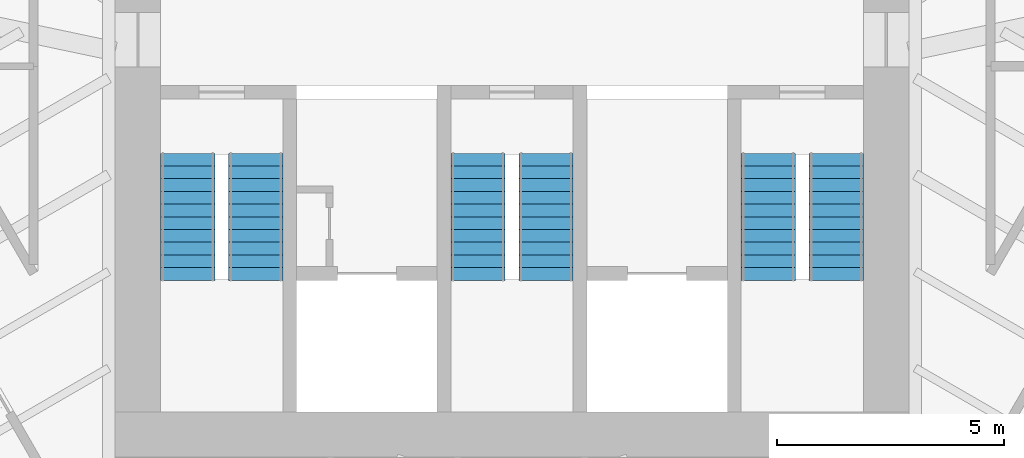
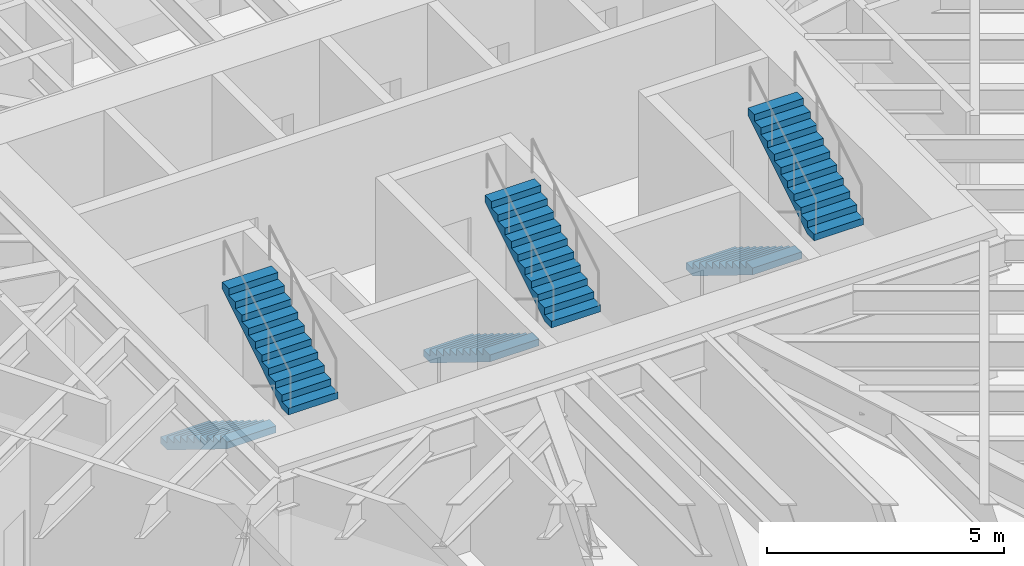
# One storey, part 16 of 17: 6 stair flights, 3 elements without a shape of their own.
"""IFC4 building model written with IfcOpenShell, lengths in metres."""

from ifc_helpers import new_model, si_unit, direction, frame, origin, place, context, subcontext, project, spatial, polyline, outline, extrude, material, type_object, element, aggregate, save


model = new_model("IFC4")

# Units and contexts
model_context = context("Model", 3, precision=1e-05, world=origin(), true_north=direction((0.0, 1.0)))
body_context = subcontext(model_context, "Body", "Model", "MODEL_VIEW")
ifc_project = project(units=[si_unit("LENGTHUNIT", "METRE"), si_unit("AREAUNIT", "SQUARE_METRE"), si_unit("VOLUMEUNIT", "CUBIC_METRE"), si_unit("PLANEANGLEUNIT", "RADIAN"), si_unit("MASSUNIT", "GRAM", prefix="KILO")], contexts=[model_context])

# Site, building, storey
site_placement = place(None, origin())
site = spatial("IfcSite", under=ifc_project, at=site_placement, CompositionType="ELEMENT")
building_placement = place(site_placement, origin())
building = spatial("IfcBuilding", under=site, at=building_placement, Name="Sandreach Pilgrim Tower", CompositionType="ELEMENT")
storey_placement = place(building_placement, frame((0.0, 0.0, 198.39990234375)))
storey = spatial("IfcBuildingStorey", under=building, at=storey_placement, Name="L49", CompositionType="ELEMENT", Elevation=198.39990234375)

# Stair, stair flights
ifc_material_1 = material(Name="Concrete 8000 psi", Category="concrete")
stair_type = type_object("IfcStairType", Name="Core exit stair", PredefinedType="HALF_TURN_STAIR", material=ifc_material_1)
stair_1_placement = place(storey_placement, origin())
stair_1 = element("IfcStair", 1, at=stair_1_placement, inside=storey, type_object=stair_type, Name="Exit stair ST1 L49", PredefinedType="HALF_TURN_STAIR")
ifc_material_2 = material(Name="Concrete 8000 psi", Category="concrete")
stair_flight_type = type_object("IfcStairFlightType", Name="Core stair flight 1200", PredefinedType="STRAIGHT", material=ifc_material_2)
stair_flight_1_placement = place(storey_placement, frame((-7.14990234375, -0.39990234375, 0.0), z_axis=(0.0, 0.0, 1.0), x_axis=(0.0, -1.0, 0.0)))
stair_flight_1 = element("IfcStairFlight", 2, at=stair_flight_1_placement, type_object=stair_flight_type, Name="ST1 flight 1", NumberOfRisers=11, NumberOfTreads=10, PredefinedType="STRAIGHT", RiserHeight=0.172727273, TreadLength=0.28, context=body_context, shape_type="SweptSolid", body=[
    extrude(outline(polyline([(0.0, 0.0), (0.0, 0.172607421875), (0.280029296875, 0.172607421875), (0.280029296875, 0.345458984375), (0.56005859375, 0.345458984375), (0.56005859375, 0.51806640625), (0.840087890625, 0.51806640625), (0.840087890625, 0.69091796875), (1.1201171875, 0.69091796875), (1.1201171875, 0.863525390625), (1.39990234375, 0.863525390625), (1.39990234375, 1.036376953125), (1.679931640625, 1.036376953125), (1.679931640625, 1.208984375), (1.9599609375, 1.208984375), (1.9599609375, 1.3818359375), (2.239990234375, 1.3818359375), (2.239990234375, 1.554443359375), (2.52001953125, 1.554443359375), (2.52001953125, 1.727294921875), (2.800048828125, 1.727294921875), (2.800048828125, 1.89990234375), (2.800048828125, 1.551025390625), (0.285400390625, 0.0), (0.0, 0.0)])), frame((0.0, 0.60009765625, 0.0), z_axis=(0.0, -1.0, 0.0), x_axis=(1.0, 0.0, 0.0)), (0.0, 0.0, 1.0), 1.199951171875),
])
stair_flight_2_placement = place(storey_placement, frame((-5.64990234375, -3.199951171875, 1.900146484375), z_axis=(0.0, 0.0, 1.0), x_axis=(0.0, 1.0, 0.0)))
stair_flight_2 = element("IfcStairFlight", 3, at=stair_flight_2_placement, type_object=stair_flight_type, Name="ST1 flight 2", NumberOfRisers=11, NumberOfTreads=10, PredefinedType="STRAIGHT", RiserHeight=0.172727273, TreadLength=0.28, context=body_context, shape_type="SweptSolid", body=[
    extrude(outline(polyline([(0.0, 0.0), (0.0, 0.172607421875), (0.280029296875, 0.172607421875), (0.280029296875, 0.345458984375), (0.56005859375, 0.345458984375), (0.56005859375, 0.51806640625), (0.840087890625, 0.51806640625), (0.840087890625, 0.69091796875), (1.1201171875, 0.69091796875), (1.1201171875, 0.863525390625), (1.39990234375, 0.863525390625), (1.39990234375, 1.036376953125), (1.679931640625, 1.036376953125), (1.679931640625, 1.208984375), (1.9599609375, 1.208984375), (1.9599609375, 1.3818359375), (2.239990234375, 1.3818359375), (2.239990234375, 1.554443359375), (2.52001953125, 1.554443359375), (2.52001953125, 1.727294921875), (2.800048828125, 1.727294921875), (2.800048828125, 1.89990234375), (2.800048828125, 1.551025390625), (0.285400390625, 0.0), (0.0, 0.0)])), frame((0.0, 0.60009765625, 0.0), z_axis=(0.0, -1.0, 0.0), x_axis=(1.0, 0.0, 0.0)), (0.0, 0.0, 1.0), 1.199951171875),
])
aggregate(stair_1, [stair_flight_1, stair_flight_2])

stair_2_placement = place(storey_placement, origin())
stair_2 = element("IfcStair", 4, at=stair_2_placement, inside=storey, type_object=stair_type, Name="Exit stair ST3 L49", PredefinedType="HALF_TURN_STAIR")
stair_flight_3_placement = place(storey_placement, frame((-0.75, -0.39990234375, 0.0), z_axis=(0.0, 0.0, 1.0), x_axis=(0.0, -1.0, 0.0)))
stair_flight_3 = element("IfcStairFlight", 5, at=stair_flight_3_placement, type_object=stair_flight_type, Name="ST3 flight 1", NumberOfRisers=11, NumberOfTreads=10, PredefinedType="STRAIGHT", RiserHeight=0.172727273, TreadLength=0.28, context=body_context, shape_type="SweptSolid", body=[
    extrude(outline(polyline([(0.0, 0.0), (0.0, 0.172607421875), (0.280029296875, 0.172607421875), (0.280029296875, 0.345458984375), (0.56005859375, 0.345458984375), (0.56005859375, 0.51806640625), (0.840087890625, 0.51806640625), (0.840087890625, 0.69091796875), (1.1201171875, 0.69091796875), (1.1201171875, 0.863525390625), (1.39990234375, 0.863525390625), (1.39990234375, 1.036376953125), (1.679931640625, 1.036376953125), (1.679931640625, 1.208984375), (1.9599609375, 1.208984375), (1.9599609375, 1.3818359375), (2.239990234375, 1.3818359375), (2.239990234375, 1.554443359375), (2.52001953125, 1.554443359375), (2.52001953125, 1.727294921875), (2.800048828125, 1.727294921875), (2.800048828125, 1.89990234375), (2.800048828125, 1.551025390625), (0.285400390625, 0.0), (0.0, 0.0)])), frame((0.0, 0.60009765625, 0.0), z_axis=(0.0, -1.0, 0.0), x_axis=(1.0, 0.0, 0.0)), (0.0, 0.0, 1.0), 1.199951171875),
])
stair_flight_4_placement = place(storey_placement, frame((0.75, -3.199951171875, 1.900146484375), z_axis=(0.0, 0.0, 1.0), x_axis=(0.0, 1.0, 0.0)))
stair_flight_4 = element("IfcStairFlight", 6, at=stair_flight_4_placement, type_object=stair_flight_type, Name="ST3 flight 2", NumberOfRisers=11, NumberOfTreads=10, PredefinedType="STRAIGHT", RiserHeight=0.172727273, TreadLength=0.28, context=body_context, shape_type="SweptSolid", body=[
    extrude(outline(polyline([(0.0, 0.0), (0.0, 0.172607421875), (0.280029296875, 0.172607421875), (0.280029296875, 0.345458984375), (0.56005859375, 0.345458984375), (0.56005859375, 0.51806640625), (0.840087890625, 0.51806640625), (0.840087890625, 0.69091796875), (1.1201171875, 0.69091796875), (1.1201171875, 0.863525390625), (1.39990234375, 0.863525390625), (1.39990234375, 1.036376953125), (1.679931640625, 1.036376953125), (1.679931640625, 1.208984375), (1.9599609375, 1.208984375), (1.9599609375, 1.3818359375), (2.239990234375, 1.3818359375), (2.239990234375, 1.554443359375), (2.52001953125, 1.554443359375), (2.52001953125, 1.727294921875), (2.800048828125, 1.727294921875), (2.800048828125, 1.89990234375), (2.800048828125, 1.551025390625), (0.285400390625, 0.0), (0.0, 0.0)])), frame((0.0, 0.60009765625, 0.0), z_axis=(0.0, -1.0, 0.0), x_axis=(1.0, 0.0, 0.0)), (0.0, 0.0, 1.0), 1.199951171875),
])
aggregate(stair_2, [stair_flight_3, stair_flight_4])

stair_3_placement = place(storey_placement, origin())
stair_3 = element("IfcStair", 7, at=stair_3_placement, inside=storey, type_object=stair_type, Name="Exit stair ST2 L49", PredefinedType="HALF_TURN_STAIR")
stair_flight_5_placement = place(storey_placement, frame((5.64990234375, -0.39990234375, 0.0), z_axis=(0.0, 0.0, 1.0), x_axis=(0.0, -1.0, 0.0)))
stair_flight_5 = element("IfcStairFlight", 8, at=stair_flight_5_placement, type_object=stair_flight_type, Name="ST2 flight 1", NumberOfRisers=11, NumberOfTreads=10, PredefinedType="STRAIGHT", RiserHeight=0.172727273, TreadLength=0.28, context=body_context, shape_type="SweptSolid", body=[
    extrude(outline(polyline([(0.0, 0.0), (0.0, 0.172607421875), (0.280029296875, 0.172607421875), (0.280029296875, 0.345458984375), (0.56005859375, 0.345458984375), (0.56005859375, 0.51806640625), (0.840087890625, 0.51806640625), (0.840087890625, 0.69091796875), (1.1201171875, 0.69091796875), (1.1201171875, 0.863525390625), (1.39990234375, 0.863525390625), (1.39990234375, 1.036376953125), (1.679931640625, 1.036376953125), (1.679931640625, 1.208984375), (1.9599609375, 1.208984375), (1.9599609375, 1.3818359375), (2.239990234375, 1.3818359375), (2.239990234375, 1.554443359375), (2.52001953125, 1.554443359375), (2.52001953125, 1.727294921875), (2.800048828125, 1.727294921875), (2.800048828125, 1.89990234375), (2.800048828125, 1.551025390625), (0.285400390625, 0.0), (0.0, 0.0)])), frame((0.0, 0.60009765625, 0.0), z_axis=(0.0, -1.0, 0.0), x_axis=(1.0, 0.0, 0.0)), (0.0, 0.0, 1.0), 1.199951171875),
])
stair_flight_6_placement = place(storey_placement, frame((7.14990234375, -3.199951171875, 1.900146484375), z_axis=(0.0, 0.0, 1.0), x_axis=(0.0, 1.0, 0.0)))
stair_flight_6 = element("IfcStairFlight", 9, at=stair_flight_6_placement, type_object=stair_flight_type, Name="ST2 flight 2", NumberOfRisers=11, NumberOfTreads=10, PredefinedType="STRAIGHT", RiserHeight=0.172727273, TreadLength=0.28, context=body_context, shape_type="SweptSolid", body=[
    extrude(outline(polyline([(0.0, 0.0), (0.0, 0.172607421875), (0.280029296875, 0.172607421875), (0.280029296875, 0.345458984375), (0.56005859375, 0.345458984375), (0.56005859375, 0.51806640625), (0.840087890625, 0.51806640625), (0.840087890625, 0.69091796875), (1.1201171875, 0.69091796875), (1.1201171875, 0.863525390625), (1.39990234375, 0.863525390625), (1.39990234375, 1.036376953125), (1.679931640625, 1.036376953125), (1.679931640625, 1.208984375), (1.9599609375, 1.208984375), (1.9599609375, 1.3818359375), (2.239990234375, 1.3818359375), (2.239990234375, 1.554443359375), (2.52001953125, 1.554443359375), (2.52001953125, 1.727294921875), (2.800048828125, 1.727294921875), (2.800048828125, 1.89990234375), (2.800048828125, 1.551025390625), (0.285400390625, 0.0), (0.0, 0.0)])), frame((0.0, 0.60009765625, 0.0), z_axis=(0.0, -1.0, 0.0), x_axis=(1.0, 0.0, 0.0)), (0.0, 0.0, 1.0), 1.199951171875),
])
aggregate(stair_3, [stair_flight_5, stair_flight_6])

save(model, "model.ifc")
